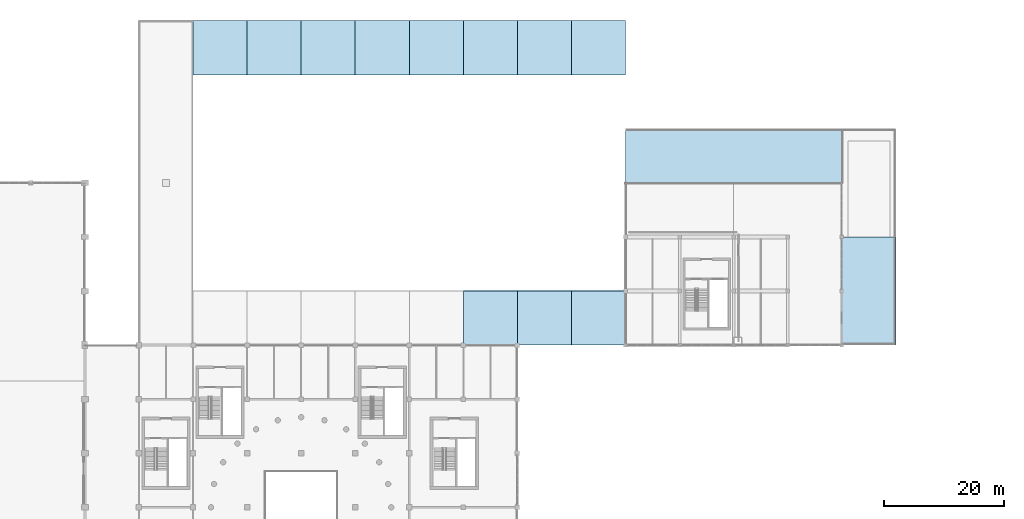
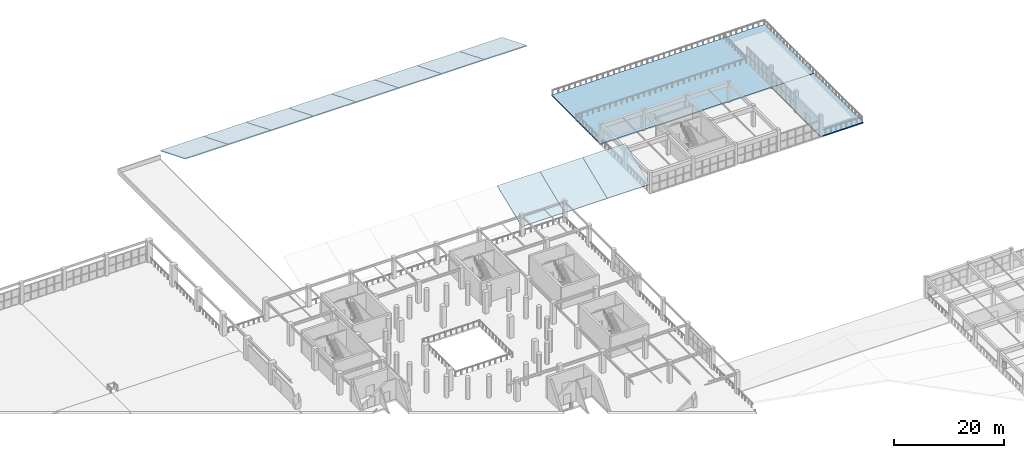
# One storey, part 69 of 89: 13 roofs.
"""IFC4 building model written with IfcOpenShell, lengths in metres."""

from ifc_helpers import new_model, si_unit, direction, frame, origin, place, context, subcontext, project, spatial, polyline, outline, extrude, material, layer, layer_set, type_object, element, save


model = new_model("IFC4")

# Units and contexts
model_context = context("Model", 3, precision=1e-05, world=origin(), true_north=direction((0.0, 1.0)))
body_context = subcontext(model_context, "Body", "Model", "MODEL_VIEW")
ifc_project = project(units=[si_unit("LENGTHUNIT", "METRE"), si_unit("AREAUNIT", "SQUARE_METRE"), si_unit("VOLUMEUNIT", "CUBIC_METRE"), si_unit("PLANEANGLEUNIT", "RADIAN"), si_unit("MASSUNIT", "GRAM", prefix="KILO")], contexts=[model_context])

# Site, building, storey
site_placement = place(None, origin())
site = spatial("IfcSite", under=ifc_project, at=site_placement, CompositionType="ELEMENT")
building_placement = place(site_placement, origin())
building = spatial("IfcBuilding", under=site, at=building_placement, Name="Dornveld Trade and Exhibition Forum", CompositionType="ELEMENT")
storey_placement = place(building_placement, frame((0.0, 0.0, 12.0)))
storey = spatial("IfcBuildingStorey", under=building, at=storey_placement, Name="L02", CompositionType="ELEMENT", Elevation=12.0)

# Roofs
ifc_material_1 = material(Name="Steel S355J2", Category="steel")
ifc_layer_1 = layer(ifc_material_1, 0.179931640625)
ifc_layer_set_1 = layer_set([ifc_layer_1], Name="Steel S355J2")
roof_type_1 = type_object("IfcRoofType", Name="RF-ARCH-HALL1", PredefinedType="BARREL_ROOF", material=ifc_layer_set_1)
for number, where, z_axis, x_axis, name in (
    (1, (99.0, 153.0, 5.586669921875), (0.0, 0.377304069177, 0.926089433793), (1.0, 0.0, 0.0), "H1 arched roof bay 1 facet 6"),
    (2, (108.0, 153.0, 5.586669921875), (0.0, 0.377304069177, 0.926089433793), (1.0, 0.0, 0.0), "H1 arched roof bay 2 facet 6"),
    (3, (117.0, 153.0, 5.586669921875), (0.0, 0.377304069177, 0.926089433793), (1.0, 0.0, 0.0), "H1 arched roof bay 3 facet 6"),
    (4, (126.0, 153.0, 5.586669921875), (0.0, 0.377304069177, 0.926089433793), (1.0, 0.0, 0.0), "H1 arched roof bay 4 facet 6"),
    (5, (135.0, 153.0, 5.586669921875), (0.0, 0.377304069177, 0.926089433793), (1.0, 0.0, 0.0), "H1 arched roof bay 5 facet 6"),
    (6, (144.0, 108.0, 1.919921875), (0.0, -0.377304069177, 0.926089433793), (1.0, 0.0, 0.0), "H1 arched roof bay 6 facet 1"),
    (7, (144.0, 153.0, 5.586669921875), (0.0, 0.377304069177, 0.926089433793), (1.0, 0.0, 0.0), "H1 arched roof bay 6 facet 6"),
    (8, (153.0, 108.0, 1.919921875), (0.0, -0.377304069177, 0.926089433793), (1.0, 0.0, 0.0), "H1 arched roof bay 7 facet 1"),
    (9, (153.0, 153.0, 5.586669921875), (0.0, 0.377304069177, 0.926089433793), (1.0, 0.0, 0.0), "H1 arched roof bay 7 facet 6"),
    (10, (162.0, 108.0, 1.919921875), (0.0, -0.377304069177, 0.926089433793), (1.0, 0.0, 0.0), "H1 arched roof bay 8 facet 1"),
    (11, (162.0, 153.0, 5.586669921875), (0.0, 0.377304069177, 0.926089433793), (1.0, 0.0, 0.0), "H1 arched roof bay 8 facet 6"),
):
    element("IfcRoof", number, at=place(storey_placement, frame(where, z_axis=z_axis, x_axis=x_axis)), inside=storey, type_object=roof_type_1, Name=name, PredefinedType="BARREL_ROOF", context=body_context, shape_type="SweptSolid", body=[
        extrude(outline(polyline([(0.0, 0.0), (9.0, 0.0), (9.0, 9.718283862867024), (0.0, 9.718283862867024), (0.0, 0.0)])), origin(), (0.0, 0.0, -1.0), 0.179931640625),
    ])
ifc_material_2 = material(Name="Concrete C40/50", Category="concrete")
ifc_layer_2 = layer(ifc_material_2, 0.219970703125)
ifc_layer_set_2 = layer_set([ifc_layer_2], Name="Concrete C40/50")
roof_type_2 = type_object("IfcRoofType", Name="RF-CONG-FOLD", PredefinedType="FLAT_ROOF", material=ifc_layer_set_2)
roof_1_placement = place(storey_placement, frame((0.0, 0.0, -0.219970703125)))
element("IfcRoof", 12, at=roof_1_placement, inside=storey, type_object=roof_type_2, Name="L02 planted setback roof slab 3", PredefinedType="FLAT_ROOF", context=body_context, shape_type="SweptSolid", body=[
    extrude(outline(polyline([(171.0, 126.0), (216.0, 126.0), (216.0, 144.0), (171.0, 144.0), (171.0, 126.0)])), origin(), (0.0, 0.0, 1.0), 0.219970703125),
])
roof_2_placement = place(storey_placement, frame((0.0, 0.0, -0.219970703125)))
element("IfcRoof", 13, at=roof_2_placement, inside=storey, type_object=roof_type_2, Name="L02 planted setback roof slab 4", PredefinedType="FLAT_ROOF", context=body_context, shape_type="SweptSolid", body=[
    extrude(outline(polyline([(207.0, 108.0), (216.0, 108.0), (216.0, 126.0), (207.0, 126.0), (207.0, 108.0)])), origin(), (0.0, 0.0, 1.0), 0.219970703125),
])

save(model, "model.ifc")
